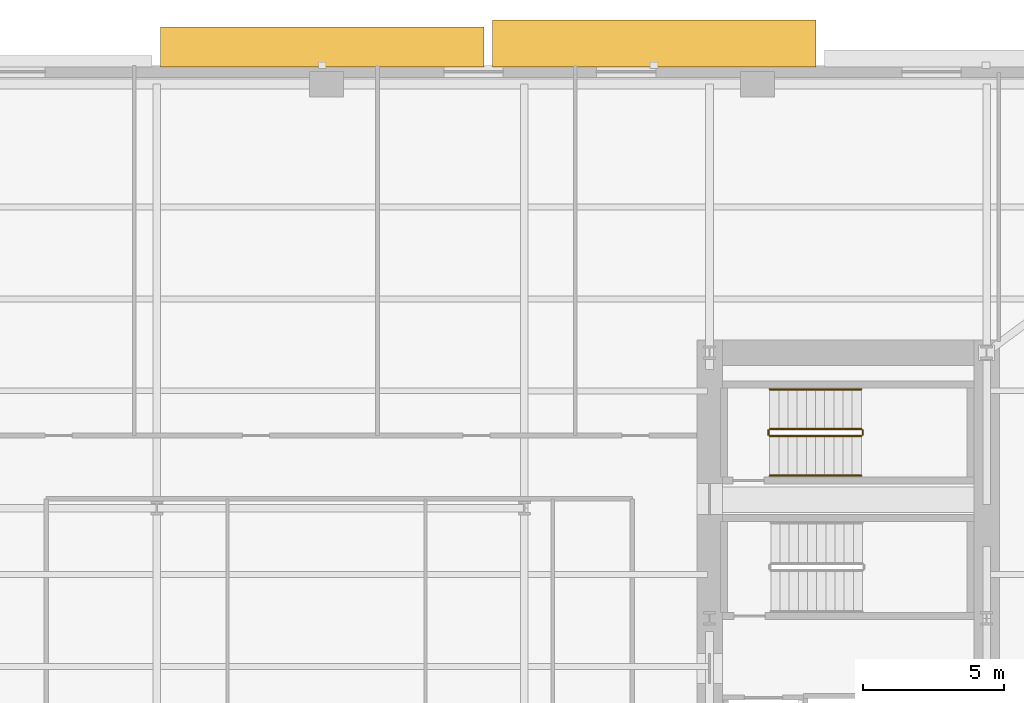
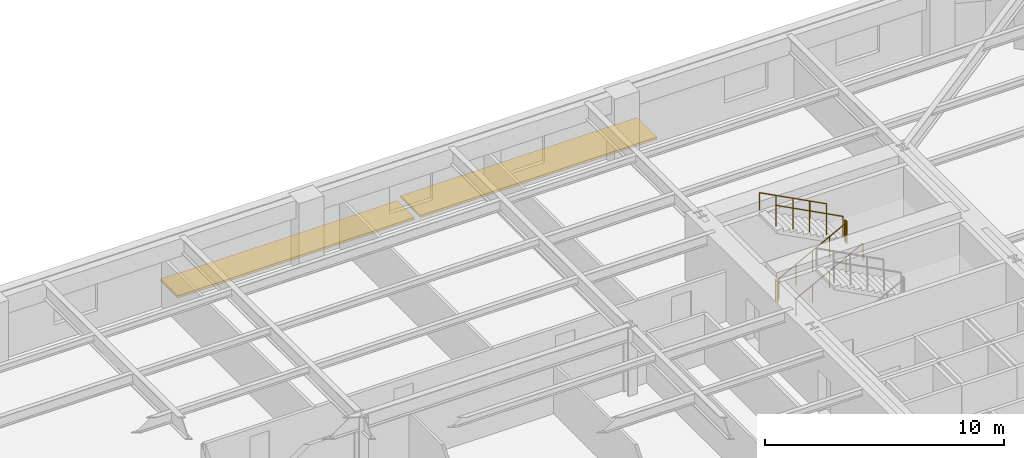
# One storey, part 14 of 15: 6 railings, 2 shading devices.
"""IFC4 building model written with IfcOpenShell, lengths in metres."""

from ifc_helpers import new_model, si_unit, direction, frame, origin, origin_2d, place, context, subcontext, project, spatial, rectangle, circle, extrude, material, type_object, element, save


model = new_model("IFC4")

# Units and contexts
model_context = context("Model", 3, precision=1e-05, world=origin(), true_north=direction((0.0, 1.0)))
body_context = subcontext(model_context, "Body", "Model", "MODEL_VIEW")
ifc_project = project(units=[si_unit("LENGTHUNIT", "METRE"), si_unit("AREAUNIT", "SQUARE_METRE"), si_unit("VOLUMEUNIT", "CUBIC_METRE"), si_unit("PLANEANGLEUNIT", "RADIAN"), si_unit("MASSUNIT", "GRAM", prefix="KILO")], contexts=[model_context])

# Site, building, storey
site_placement = place(None, origin())
site = spatial("IfcSite", under=ifc_project, at=site_placement, CompositionType="ELEMENT")
building_placement = place(site_placement, origin())
building = spatial("IfcBuilding", under=site, at=building_placement, Name="Kolvaren Arena Tower", CompositionType="ELEMENT")
storey_placement = place(building_placement, frame((0.0, 0.0, 60.75)))
storey = spatial("IfcBuildingStorey", under=building, at=storey_placement, Name="L12", CompositionType="ELEMENT", Elevation=60.75)

# Railings
ifc_material_1 = material(Name="Painted galvanized steel", Category="steel")
railing_type_1 = type_object("IfcRailingType", Name="GUARD-ST-110", PredefinedType="GUARDRAIL", material=ifc_material_1)
railing_1_placement = place(storey_placement, frame((52.679931640625, 36.39990234375, 0.17041015625)))
element("IfcRailing", 1, at=railing_1_placement, inside=storey, type_object=railing_type_1, Name="L12 ST-E2 stair guard 1", PredefinedType="GUARDRAIL", context=body_context, shape_type="SweptSolid", body=[
    extrude(circle(Radius=0.02392578125, at=origin_2d()), frame((0.0, 0.0, 1.076171875), z_axis=(0.884993431791, 0.0, 0.465603506952), x_axis=(0.0, 1.0, 0.0)), (0.0, 0.0, 1.0), 3.6611328125),
    extrude(circle(Radius=0.02099609375, at=origin_2d()), origin(), (0.0, 0.0, 1.0), 1.052001953125),
    extrude(circle(Radius=0.02099609375, at=origin_2d()), frame((0.81005859375, 0.0, 0.42626953125)), (0.0, 0.0, 1.0), 1.052001953125),
    extrude(circle(Radius=0.02099609375, at=origin_2d()), frame((1.6201171875, 0.0, 0.852294921875)), (0.0, 0.0, 1.0), 1.052001953125),
    extrude(circle(Radius=0.02099609375, at=origin_2d()), frame((2.429931640625, 0.0, 1.2783203125)), (0.0, 0.0, 1.0), 1.052001953125),
    extrude(circle(Radius=0.02099609375, at=origin_2d()), frame((3.239990234375, 0.0, 1.70458984375)), (0.0, 0.0, 1.0), 1.052001953125),
])
railing_2_placement = place(storey_placement, frame((55.969970703125, 36.449951171875, 1.875)))
element("IfcRailing", 2, at=railing_2_placement, inside=storey, type_object=railing_type_1, Name="L12 ST-E2 stair guard 2", PredefinedType="GUARDRAIL", context=body_context, shape_type="SweptSolid", body=[
    extrude(circle(Radius=0.02392578125, at=origin_2d()), frame((0.0, 0.0, 1.076171875), z_axis=(0.0, 1.0, 0.0), x_axis=(-1.0, 0.0, 0.0)), (0.0, 0.0, 1.0), 0.150146484375),
    extrude(circle(Radius=0.02099609375, at=origin_2d()), origin(), (0.0, 0.0, 1.0), 1.052001953125),
    extrude(circle(Radius=0.02099609375, at=origin_2d()), frame((0.0, 0.150146484375, 0.0)), (0.0, 0.0, 1.0), 1.052001953125),
])
railing_3_placement = place(storey_placement, frame((55.919921875, 36.64990234375, 2.04541015625)))
element("IfcRailing", 3, at=railing_3_placement, inside=storey, type_object=railing_type_1, Name="L12 ST-E2 stair guard 3", PredefinedType="GUARDRAIL", context=body_context, shape_type="SweptSolid", body=[
    extrude(circle(Radius=0.02392578125, at=origin_2d()), frame((0.0, 0.0, 1.076171875), z_axis=(-0.884993431791, 0.0, 0.465603506952), x_axis=(0.0, -1.0, 0.0)), (0.0, 0.0, 1.0), 3.6611328125),
    extrude(circle(Radius=0.02099609375, at=origin_2d()), origin(), (0.0, 0.0, 1.0), 1.052001953125),
    extrude(circle(Radius=0.02099609375, at=origin_2d()), frame((-0.81005859375, 0.0, 0.42626953125)), (0.0, 0.0, 1.0), 1.052001953125),
    extrude(circle(Radius=0.02099609375, at=origin_2d()), frame((-1.6201171875, 0.0, 0.852294921875)), (0.0, 0.0, 1.0), 1.052001953125),
    extrude(circle(Radius=0.02099609375, at=origin_2d()), frame((-2.429931640625, 0.0, 1.2783203125)), (0.0, 0.0, 1.0), 1.052001953125),
    extrude(circle(Radius=0.02099609375, at=origin_2d()), frame((-3.239990234375, 0.0, 1.70458984375)), (0.0, 0.0, 1.0), 1.052001953125),
])
railing_4_placement = place(storey_placement, frame((52.6298828125, 36.449951171875, 0.0)))
element("IfcRailing", 4, at=railing_4_placement, inside=storey, type_object=railing_type_1, Name="L12 ST-E2 stair guard 4", PredefinedType="GUARDRAIL", context=body_context, shape_type="SweptSolid", body=[
    extrude(circle(Radius=0.02392578125, at=origin_2d()), frame((0.0, 0.0, 1.076171875), z_axis=(0.0, 1.0, 0.0), x_axis=(-1.0, 0.0, 0.0)), (0.0, 0.0, 1.0), 0.150146484375),
    extrude(circle(Radius=0.02099609375, at=origin_2d()), origin(), (0.0, 0.0, 1.0), 1.052001953125),
    extrude(circle(Radius=0.02099609375, at=origin_2d()), frame((0.0, 0.150146484375, 0.0)), (0.0, 0.0, 1.0), 1.052001953125),
])
ifc_material_2 = material(Name="Brushed stainless steel handrail", Category="steel")
railing_type_2 = type_object("IfcRailingType", Name="HRAIL-900", PredefinedType="HANDRAIL", material=ifc_material_2)
railing_5_placement = place(storey_placement, frame((52.679931640625, 35.0, 0.17041015625)))
element("IfcRailing", 5, at=railing_5_placement, inside=storey, type_object=railing_type_2, Name="L12 ST-E2 stair handrail 1", PredefinedType="HANDRAIL", context=body_context, shape_type="SweptSolid", body=[
    extrude(circle(Radius=0.02392578125, at=origin_2d()), frame((0.0, 0.0, 0.8759765625), z_axis=(0.884993431791, 0.0, 0.465603506952), x_axis=(0.0, 1.0, 0.0)), (0.0, 0.0, 1.0), 3.6611328125),
    extrude(circle(Radius=0.02099609375, at=origin_2d()), origin(), (0.0, 0.0, 1.0), 0.851806640625),
    extrude(circle(Radius=0.02099609375, at=origin_2d()), frame((0.81005859375, 0.0, 0.42626953125)), (0.0, 0.0, 1.0), 0.851806640625),
    extrude(circle(Radius=0.02099609375, at=origin_2d()), frame((1.6201171875, 0.0, 0.852294921875)), (0.0, 0.0, 1.0), 0.851806640625),
    extrude(circle(Radius=0.02099609375, at=origin_2d()), frame((2.429931640625, 0.0, 1.2783203125)), (0.0, 0.0, 1.0), 0.851806640625),
    extrude(circle(Radius=0.02099609375, at=origin_2d()), frame((3.239990234375, 0.0, 1.70458984375)), (0.0, 0.0, 1.0), 0.851806640625),
])
railing_6_placement = place(storey_placement, frame((55.919921875, 38.050048828125, 2.04541015625)))
element("IfcRailing", 6, at=railing_6_placement, inside=storey, type_object=railing_type_2, Name="L12 ST-E2 stair handrail 2", PredefinedType="HANDRAIL", context=body_context, shape_type="SweptSolid", body=[
    extrude(circle(Radius=0.02392578125, at=origin_2d()), frame((0.0, 0.0, 0.8759765625), z_axis=(-0.884993431791, 0.0, 0.465603506952), x_axis=(0.0, -1.0, 0.0)), (0.0, 0.0, 1.0), 3.6611328125),
    extrude(circle(Radius=0.02099609375, at=origin_2d()), origin(), (0.0, 0.0, 1.0), 0.851806640625),
    extrude(circle(Radius=0.02099609375, at=origin_2d()), frame((-0.81005859375, 0.0, 0.42626953125)), (0.0, 0.0, 1.0), 0.851806640625),
    extrude(circle(Radius=0.02099609375, at=origin_2d()), frame((-1.6201171875, 0.0, 0.852294921875)), (0.0, 0.0, 1.0), 0.851806640625),
    extrude(circle(Radius=0.02099609375, at=origin_2d()), frame((-2.429931640625, 0.0, 1.2783203125)), (0.0, 0.0, 1.0), 0.851806640625),
    extrude(circle(Radius=0.02099609375, at=origin_2d()), frame((-3.239990234375, 0.0, 1.70458984375)), (0.0, 0.0, 1.0), 0.851806640625),
])

# Shading devices
ifc_material_3 = material(Name="Architectural precast GFRC and anodised aluminium sunshade", Category="concrete")
shading_device_type = type_object("IfcShadingDeviceType", Name="SHAD-SINE-B", PredefinedType="JALOUSIE", material=ifc_material_3)
shading_device_1_placement = place(storey_placement, frame((36.85009765625, 50.164794921875, -0.14013671875), z_axis=(0.0, 0.0, 1.0), x_axis=(1.0, 0.0, 0.0)))
element("IfcShadingDevice", 7, at=shading_device_1_placement, inside=storey, type_object=shading_device_type, Name="Sinusoidal Slab-Edge Sunshade Louvre (L12)", PredefinedType="JALOUSIE", context=body_context, shape_type="SweptSolid", body=[
    extrude(rectangle(XDim=11.43994140625, YDim=1.42919921875, at=origin_2d()), origin(), (0.0, 0.0, 1.0), 0.1201171875),
])
shading_device_2_placement = place(storey_placement, frame((48.590087890625, 50.2841796875, -0.14013671875), z_axis=(0.0, 0.0, 1.0), x_axis=(1.0, 0.0, 0.0)))
element("IfcShadingDevice", 8, at=shading_device_2_placement, inside=storey, type_object=shading_device_type, Name="Sinusoidal Slab-Edge Sunshade Louvre (L12)", PredefinedType="JALOUSIE", context=body_context, shape_type="SweptSolid", body=[
    extrude(rectangle(XDim=11.43994140625, YDim=1.668212890625, at=origin_2d()), origin(), (0.0, 0.0, 1.0), 0.1201171875),
])

save(model, "model.ifc")
